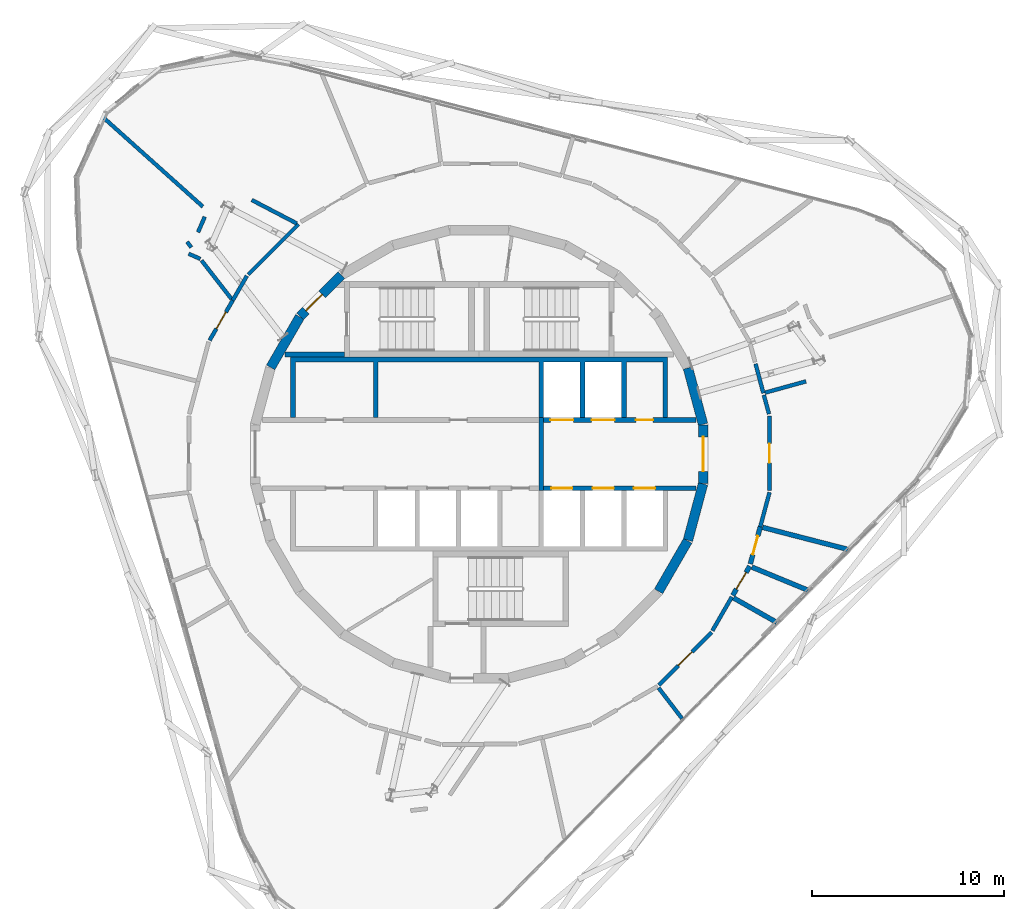
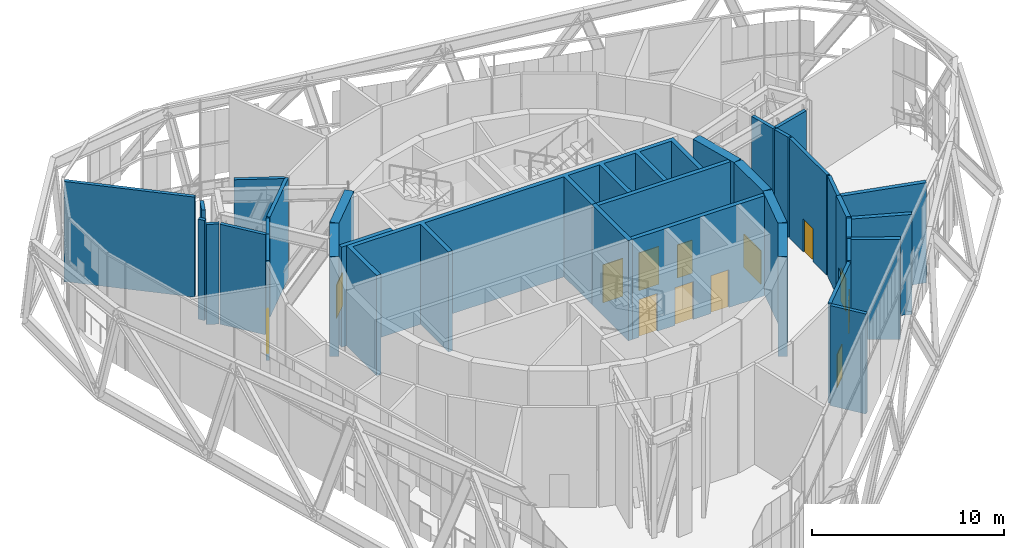
# One storey, part 19 of 23: 33 walls, 13 doors, 13 openings.
"""IFC4 building model written with IfcOpenShell, lengths in metres."""

from ifc_helpers import new_model, si_unit, direction, frame, frame_2d, origin, place, context, subcontext, project, spatial, polyline, rectangle, outline, extrude, material, layer, layer_set, type_object, element, fill, save


model = new_model("IFC4")

# Units and contexts
model_context = context("Model", 3, precision=1e-05, world=origin(), true_north=direction((0.0, 1.0)))
body_context = subcontext(model_context, "Body", "Model", "MODEL_VIEW")
ifc_project = project(units=[si_unit("LENGTHUNIT", "METRE"), si_unit("AREAUNIT", "SQUARE_METRE"), si_unit("VOLUMEUNIT", "CUBIC_METRE"), si_unit("PLANEANGLEUNIT", "RADIAN"), si_unit("MASSUNIT", "GRAM", prefix="KILO")], contexts=[model_context])

# Site, building, storey
site_placement = place(None, origin())
site = spatial("IfcSite", under=ifc_project, at=site_placement, CompositionType="ELEMENT")
building_placement = place(site_placement, origin())
building = spatial("IfcBuilding", under=site, at=building_placement, Name="Spindle Arch Residences", CompositionType="ELEMENT")
storey_placement = place(building_placement, frame((0.0, 0.0, 326.199951171875)))
storey = spatial("IfcBuildingStorey", under=building, at=storey_placement, Name="L84", CompositionType="ELEMENT", Elevation=326.199951171875)

# Walls
ifc_material_1 = material(Name="Concrete C50/60", Category="concrete")
ifc_layer_1 = layer(ifc_material_1, 0.5)
ifc_layer_set_1 = layer_set([ifc_layer_1], Name="Core outline wall 500")
wall_type_1 = type_object("IfcWallType", Name="Core outline wall 500", PredefinedType="SHEAR", material=ifc_layer_set_1)
for number, where, z_axis, x_axis, name in (
    (1, (9.32861328125, -7.13671875, 0.0), (0.0, 0.0, 1.0), (0.500087131594, 0.865975092491, 0.0), "Core outline wall 4"),
    (2, (10.858154296875, -4.479248046875, 0.0), (0.0, 0.0, 1.0), (0.258734743916, 0.965948410781, 0.0), "Core outline wall 5"),
):
    element("IfcWall", number, at=place(storey_placement, frame(where, z_axis=z_axis, x_axis=x_axis)), inside=storey, type_object=wall_type_1, Name=name, PredefinedType="SHEAR", context=body_context, shape_type="SweptSolid", body=[
        extrude(rectangle(XDim=3.03271484375, YDim=0.5, at=frame_2d((1.516357421875, 0.0))), origin(), (0.0, 0.0, 1.0), 6.35009765625),
    ])

# Wall, opening, door
wall_1_placement = place(storey_placement, frame((11.647216796875, -1.516357421875, 0.0), z_axis=(0.0, 0.0, 1.0), x_axis=(0.0, 1.0, 0.0)))
wall_1 = element("IfcWall", 3, at=wall_1_placement, inside=storey, type_object=wall_type_1, Name="Core outline wall 6", PredefinedType="SHEAR", context=body_context, shape_type="SweptSolid", body=[
    extrude(rectangle(XDim=3.03271484375, YDim=0.5, at=frame_2d((1.516357421875, 0.0))), origin(), (0.0, 0.0, 1.0), 6.35009765625),
])
opening_1_placement = place(wall_1_placement, frame((0.6162109375, 0.0, 0.0)))
opening_1 = element("IfcOpeningElement", 4, at=opening_1_placement, cuts=wall_1, Name="Opening L84-FE01", PredefinedType="OPENING", context=body_context, shape_type="SweptSolid", body=[
    extrude(rectangle(XDim=1.800048828125, YDim=2.10009765625, at=frame_2d((0.89990234375, 1.050048828125))), frame((0.0, 0.260009765625, 0.0), z_axis=(0.0, -1.0, 0.0), x_axis=(1.0, 0.0, 0.0)), (0.0, 0.0, 1.0), 0.52001953125),
])
ifc_material_2 = material(Name="Steel, fire-resisting door", Category="steel")
door_type_1 = type_object("IfcDoorType", Name="Fire-lift lobby door 1800x2100", OperationType="DOUBLE_DOOR_SINGLE_SWING", PredefinedType="DOOR", material=ifc_material_2)
door_1_placement = place(opening_1_placement, origin())
door_1 = element("IfcDoor", 5, at=door_1_placement, inside=storey, type_object=door_type_1, Name="Fire-lift lobby door L84-FE01", OperationType="DOUBLE_DOOR_SINGLE_SWING", OverallHeight=2.10009765625, OverallWidth=1.800048828125, PredefinedType="DOOR", context=body_context, shape_type="SweptSolid", body=[
    extrude(rectangle(XDim=1.800048828125, YDim=2.10009765625, at=frame_2d((0.89990234375, 1.050048828125))), frame((0.0, 0.02490234375, 0.0), z_axis=(0.0, -1.0, 0.0), x_axis=(1.0, 0.0, 0.0)), (0.0, 0.0, 1.0), 0.050048828125),
])
fill(opening_1, door_1)

# Wall
wall_2_placement = place(storey_placement, frame((11.642822265625, 1.5498046875, 0.0), z_axis=(0.0, 0.0, 1.0), x_axis=(-0.258734743916, 0.965948410781, 0.0)))
element("IfcWall", 6, at=wall_2_placement, inside=storey, type_object=wall_type_1, Name="Core outline wall 7", PredefinedType="SHEAR", context=body_context, shape_type="SweptSolid", body=[
    extrude(rectangle(XDim=3.03271484375, YDim=0.5, at=frame_2d((1.516357421875, 0.0))), origin(), (0.0, 0.0, 1.0), 6.35009765625),
])

# Wall, opening, door
wall_3_placement = place(storey_placement, frame((-7.163818359375, 9.30810546875, 0.0), z_axis=(0.0, 0.0, 1.0), x_axis=(-0.707106781187, -0.707106781187, 0.0)))
wall_3 = element("IfcWall", 7, at=wall_3_placement, inside=storey, type_object=wall_type_1, Name="Core outline wall 15", PredefinedType="SHEAR", context=body_context, shape_type="SweptSolid", body=[
    extrude(rectangle(XDim=3.032470703125, YDim=0.5, at=frame_2d((1.51611328125, 0.0))), origin(), (0.0, 0.0, 1.0), 6.35009765625),
])
opening_2_placement = place(wall_3_placement, frame((1.416259765625, 0.0, 0.0)))
opening_2 = element("IfcOpeningElement", 8, at=opening_2_placement, cuts=wall_3, Name="Opening L84-AD02", PredefinedType="OPENING", context=body_context, shape_type="SweptSolid", body=[
    extrude(rectangle(XDim=1.199951171875, YDim=2.10009765625, at=frame_2d((0.60009765625, 1.050048828125))), frame((0.0, 0.260009765625, 0.0), z_axis=(0.0, -1.0, 0.0), x_axis=(1.0, 0.0, 0.0)), (0.0, 0.0, 1.0), 0.52001953125),
])
ifc_material_3 = material(Name="Steel, fire-resisting door", Category="steel")
door_type_2 = type_object("IfcDoorType", Name="Stair airlock door 1200x2100", OperationType="SINGLE_SWING_LEFT", PredefinedType="DOOR", material=ifc_material_3)
door_2_placement = place(opening_2_placement, origin())
door_2 = element("IfcDoor", 9, at=door_2_placement, inside=storey, type_object=door_type_2, Name="Stair airlock door L84-AD02", OperationType="SINGLE_SWING_RIGHT", OverallHeight=2.10009765625, OverallWidth=1.199951171875, PredefinedType="DOOR", context=body_context, shape_type="SweptSolid", body=[
    extrude(rectangle(XDim=1.199951171875, YDim=2.10009765625, at=frame_2d((0.60009765625, 1.050048828125))), frame((0.0, 0.02490234375, 0.0), z_axis=(0.0, -1.0, 0.0), x_axis=(1.0, 0.0, 0.0)), (0.0, 0.0, 1.0), 0.050048828125),
])
fill(opening_2, door_2)

# Wall
wall_4_placement = place(storey_placement, frame((-9.32861328125, 7.13671875, 0.0), z_axis=(0.0, 0.0, 1.0), x_axis=(-0.500087131594, -0.865975092491, 0.0)))
element("IfcWall", 10, at=wall_4_placement, inside=storey, type_object=wall_type_1, Name="Core outline wall 16", PredefinedType="SHEAR", context=body_context, shape_type="SweptSolid", body=[
    extrude(rectangle(XDim=3.03271484375, YDim=0.5, at=frame_2d((1.516357421875, 0.0))), origin(), (0.0, 0.0, 1.0), 6.35009765625),
])

# Wall, openings, doors
ifc_material_4 = material(Name="Concrete C40/50", Category="concrete")
ifc_layer_2 = layer(ifc_material_4, 0.25)
ifc_layer_set_2 = layer_set([ifc_layer_2], Name="Fire-lift lobby wall 250")
wall_type_2 = type_object("IfcWallType", Name="Fire-lift lobby wall 250", PredefinedType="SHEAR", material=ifc_layer_set_2)
wall_5_placement = place(storey_placement, frame((3.35009765625, 1.77490234375, 0.0), z_axis=(0.0, 0.0, 1.0), x_axis=(1.0, 0.0, 0.0)))
wall_5 = element("IfcWall", 11, at=wall_5_placement, inside=storey, type_object=wall_type_2, Name="Lift shaft front wall NE", PredefinedType="SHEAR", context=body_context, shape_type="SweptSolid", body=[
    extrude(rectangle(XDim=7.929931640625, YDim=0.25, at=frame_2d((3.96484375, 0.0))), origin(), (0.0, 0.0, 1.0), 6.35009765625),
])
opening_3_placement = place(wall_5_placement, frame((0.35009765625, 0.0, 0.0)))
opening_3 = element("IfcOpeningElement", 12, at=opening_3_placement, cuts=wall_5, Name="Opening L84-SLD01", PredefinedType="OPENING", context=body_context, shape_type="SweptSolid", body=[
    extrude(rectangle(XDim=1.199951171875, YDim=2.39990234375, at=frame_2d((0.60009765625, 1.199951171875))), frame((0.0, 0.135009765625, 0.0), z_axis=(0.0, -1.0, 0.0), x_axis=(1.0, 0.0, 0.0)), (0.0, 0.0, 1.0), 0.27001953125),
])
opening_4_placement = place(wall_5_placement, frame((2.5, 0.0, 0.0)))
opening_4 = element("IfcOpeningElement", 13, at=opening_4_placement, cuts=wall_5, Name="Opening L84-SLD02", PredefinedType="OPENING", context=body_context, shape_type="SweptSolid", body=[
    extrude(rectangle(XDim=1.199951171875, YDim=2.39990234375, at=frame_2d((0.60009765625, 1.199951171875))), frame((0.0, 0.135009765625, 0.0), z_axis=(0.0, -1.0, 0.0), x_axis=(1.0, 0.0, 0.0)), (0.0, 0.0, 1.0), 0.27001953125),
])
opening_5_placement = place(wall_5_placement, frame((4.800048828125, 0.0, 0.0)))
opening_5 = element("IfcOpeningElement", 14, at=opening_5_placement, cuts=wall_5, Name="Opening L84-WD03", PredefinedType="OPENING", context=body_context, shape_type="SweptSolid", body=[
    extrude(rectangle(XDim=0.89990234375, YDim=2.10009765625, at=frame_2d((0.449951171875, 1.050048828125))), frame((0.0, 0.135009765625, 0.0), z_axis=(0.0, -1.0, 0.0), x_axis=(1.0, 0.0, 0.0)), (0.0, 0.0, 1.0), 0.27001953125),
])
ifc_material_5 = material(Name="Steel, fire-resisting landing door", Category="steel")
door_type_3 = type_object("IfcDoorType", Name="Service lift landing door 1200x2400", OperationType="DOUBLE_DOOR_SLIDING", PredefinedType="DOOR", material=ifc_material_5)
door_3_placement = place(opening_3_placement, origin())
door_3 = element("IfcDoor", 15, at=door_3_placement, inside=storey, type_object=door_type_3, Name="Service lift landing door L84-SLD01", OperationType="DOUBLE_DOOR_SLIDING", OverallHeight=2.39990234375, OverallWidth=1.199951171875, PredefinedType="DOOR", context=body_context, shape_type="SweptSolid", body=[
    extrude(rectangle(XDim=1.199951171875, YDim=2.39990234375, at=frame_2d((0.60009765625, 1.199951171875))), frame((0.0, 0.02490234375, 0.0), z_axis=(0.0, -1.0, 0.0), x_axis=(1.0, 0.0, 0.0)), (0.0, 0.0, 1.0), 0.050048828125),
])
fill(opening_3, door_3)
door_4_placement = place(opening_4_placement, origin())
door_4 = element("IfcDoor", 16, at=door_4_placement, inside=storey, type_object=door_type_3, Name="Service lift landing door L84-SLD02", OperationType="DOUBLE_DOOR_SLIDING", OverallHeight=2.39990234375, OverallWidth=1.199951171875, PredefinedType="DOOR", context=body_context, shape_type="SweptSolid", body=[
    extrude(rectangle(XDim=1.199951171875, YDim=2.39990234375, at=frame_2d((0.60009765625, 1.199951171875))), frame((0.0, 0.02490234375, 0.0), z_axis=(0.0, -1.0, 0.0), x_axis=(1.0, 0.0, 0.0)), (0.0, 0.0, 1.0), 0.050048828125),
])
fill(opening_4, door_4)
ifc_material_6 = material(Name="Steel, fire-resisting door", Category="steel")
door_type_4 = type_object("IfcDoorType", Name="Service room door 900x2100", OperationType="SINGLE_SWING_LEFT", PredefinedType="DOOR", material=ifc_material_6)
door_5_placement = place(opening_5_placement, origin())
door_5 = element("IfcDoor", 17, at=door_5_placement, inside=storey, type_object=door_type_4, Name="Service room door L84-WD03", OperationType="SINGLE_SWING_LEFT", OverallHeight=2.10009765625, OverallWidth=0.89990234375, PredefinedType="DOOR", context=body_context, shape_type="SweptSolid", body=[
    extrude(rectangle(XDim=0.89990234375, YDim=2.10009765625, at=frame_2d((0.449951171875, 1.050048828125))), frame((0.0, 0.02490234375, 0.0), z_axis=(0.0, -1.0, 0.0), x_axis=(1.0, 0.0, 0.0)), (0.0, 0.0, 1.0), 0.050048828125),
])
fill(opening_5, door_5)

# Wall
wall_6_placement = place(storey_placement, frame((3.22509765625, -1.89990234375, 0.0), z_axis=(0.0, 0.0, 1.0), x_axis=(0.0, 1.0, 0.0)))
element("IfcWall", 18, at=wall_6_placement, inside=storey, type_object=wall_type_2, Name="Fire-fighting lobby partition", PredefinedType="SHEAR", context=body_context, shape_type="SweptSolid", body=[
    extrude(rectangle(XDim=3.7998046875, YDim=0.25, at=frame_2d((1.89990234375, 0.0))), origin(), (0.0, 0.0, 1.0), 6.35009765625),
])

# Wall, openings, doors
ifc_material_7 = material(Name="Concrete C50/60", Category="concrete")
ifc_layer_3 = layer(ifc_material_7, 0.25)
ifc_layer_set_3 = layer_set([ifc_layer_3], Name="Fire-lift shaft wall 250")
wall_type_3 = type_object("IfcWallType", Name="Fire-lift shaft wall 250", PredefinedType="SHEAR", material=ifc_layer_set_3)
wall_7_placement = place(storey_placement, frame((3.35009765625, -1.77490234375, 0.0), z_axis=(0.0, 0.0, 1.0), x_axis=(1.0, 0.0, 0.0)))
wall_7 = element("IfcWall", 19, at=wall_7_placement, inside=storey, type_object=wall_type_3, Name="Lift shaft front wall SE", PredefinedType="SHEAR", context=body_context, shape_type="SweptSolid", body=[
    extrude(rectangle(XDim=7.929931640625, YDim=0.25, at=frame_2d((3.96484375, 0.0))), origin(), (0.0, 0.0, 1.0), 6.35009765625),
])
opening_6_placement = place(wall_7_placement, frame((0.39990234375, 0.0, 0.0)))
opening_6 = element("IfcOpeningElement", 20, at=opening_6_placement, cuts=wall_7, Name="Opening L84-FLD01", PredefinedType="OPENING", context=body_context, shape_type="SweptSolid", body=[
    extrude(rectangle(XDim=1.10009765625, YDim=2.39990234375, at=frame_2d((0.550048828125, 1.199951171875))), frame((0.0, 0.135009765625, 0.0), z_axis=(0.0, -1.0, 0.0), x_axis=(1.0, 0.0, 0.0)), (0.0, 0.0, 1.0), 0.27001953125),
])
opening_7_placement = place(wall_7_placement, frame((2.550048828125, 0.0, 0.0)))
opening_7 = element("IfcOpeningElement", 21, at=opening_7_placement, cuts=wall_7, Name="Opening L84-FLD02", PredefinedType="OPENING", context=body_context, shape_type="SweptSolid", body=[
    extrude(rectangle(XDim=1.10009765625, YDim=2.39990234375, at=frame_2d((0.550048828125, 1.199951171875))), frame((0.0, 0.135009765625, 0.0), z_axis=(0.0, -1.0, 0.0), x_axis=(1.0, 0.0, 0.0)), (0.0, 0.0, 1.0), 0.27001953125),
])
opening_8_placement = place(wall_7_placement, frame((4.699951171875, 0.0, 0.0)))
opening_8 = element("IfcOpeningElement", 22, at=opening_8_placement, cuts=wall_7, Name="Opening L84-FLD03", PredefinedType="OPENING", context=body_context, shape_type="SweptSolid", body=[
    extrude(rectangle(XDim=1.10009765625, YDim=2.39990234375, at=frame_2d((0.550048828125, 1.199951171875))), frame((0.0, 0.135009765625, 0.0), z_axis=(0.0, -1.0, 0.0), x_axis=(1.0, 0.0, 0.0)), (0.0, 0.0, 1.0), 0.27001953125),
])
ifc_material_8 = material(Name="Steel, fire-resisting landing door", Category="steel")
door_type_5 = type_object("IfcDoorType", Name="Fire-fighting lift landing door 1100x2400", OperationType="DOUBLE_DOOR_SLIDING", PredefinedType="DOOR", material=ifc_material_8)
door_6_placement = place(opening_6_placement, origin())
door_6 = element("IfcDoor", 23, at=door_6_placement, inside=storey, type_object=door_type_5, Name="Fire-fighting lift landing door L84-FLD01", OperationType="DOUBLE_DOOR_SLIDING", OverallHeight=2.39990234375, OverallWidth=1.10009765625, PredefinedType="DOOR", context=body_context, shape_type="SweptSolid", body=[
    extrude(rectangle(XDim=1.10009765625, YDim=2.39990234375, at=frame_2d((0.550048828125, 1.199951171875))), frame((0.0, 0.02490234375, 0.0), z_axis=(0.0, -1.0, 0.0), x_axis=(1.0, 0.0, 0.0)), (0.0, 0.0, 1.0), 0.050048828125),
])
fill(opening_6, door_6)
door_7_placement = place(opening_7_placement, origin())
door_7 = element("IfcDoor", 24, at=door_7_placement, inside=storey, type_object=door_type_5, Name="Fire-fighting lift landing door L84-FLD02", OperationType="DOUBLE_DOOR_SLIDING", OverallHeight=2.39990234375, OverallWidth=1.10009765625, PredefinedType="DOOR", context=body_context, shape_type="SweptSolid", body=[
    extrude(rectangle(XDim=1.10009765625, YDim=2.39990234375, at=frame_2d((0.550048828125, 1.199951171875))), frame((0.0, 0.02490234375, 0.0), z_axis=(0.0, -1.0, 0.0), x_axis=(1.0, 0.0, 0.0)), (0.0, 0.0, 1.0), 0.050048828125),
])
fill(opening_7, door_7)
door_8_placement = place(opening_8_placement, origin())
door_8 = element("IfcDoor", 25, at=door_8_placement, inside=storey, type_object=door_type_5, Name="Fire-fighting lift landing door L84-FLD03", OperationType="DOUBLE_DOOR_SLIDING", OverallHeight=2.39990234375, OverallWidth=1.10009765625, PredefinedType="DOOR", context=body_context, shape_type="SweptSolid", body=[
    extrude(rectangle(XDim=1.10009765625, YDim=2.39990234375, at=frame_2d((0.550048828125, 1.199951171875))), frame((0.0, 0.02490234375, 0.0), z_axis=(0.0, -1.0, 0.0), x_axis=(1.0, 0.0, 0.0)), (0.0, 0.0, 1.0), 0.050048828125),
])
fill(opening_8, door_8)

# Wall
ifc_material_9 = material(Name="Concrete C50/60", Category="concrete")
wall_type_4 = type_object("IfcWallType", Name="Lift shaft wall profile", PredefinedType="SHEAR", material=ifc_material_9)
wall_8_placement = place(storey_placement, origin())
element("IfcWall", 26, at=wall_8_placement, inside=storey, type_object=wall_type_4, Name="Lift shaft walls N", PredefinedType="SHEAR", context=body_context, shape_type="SweptSolid", body=[
    extrude(outline(polyline([(-9.800048828125, 1.89990234375), (-9.550048828125, 1.89990234375), (-9.550048828125, 4.800048828125), (-5.5, 4.800048828125), (-5.5, 1.89990234375), (-5.25, 1.89990234375), (-5.25, 4.800048828125), (3.10009765625, 4.800048828125), (3.10009765625, 1.89990234375), (3.35009765625, 1.89990234375), (3.35009765625, 4.800048828125), (5.25, 4.800048828125), (5.25, 1.89990234375), (5.5, 1.89990234375), (5.5, 4.800048828125), (7.39990234375, 4.800048828125), (7.39990234375, 1.89990234375), (7.64990234375, 1.89990234375), (7.64990234375, 4.800048828125), (9.550048828125, 4.800048828125), (9.550048828125, 1.89990234375), (9.800048828125, 1.89990234375), (9.800048828125, 4.800048828125), (9.800048828125, 5.050048828125), (-9.800048828125, 5.050048828125), (-9.800048828125, 4.800048828125), (-9.800048828125, 1.89990234375)])), origin(), (0.0, 0.0, 1.0), 6.35009765625),
])

# Wall, opening, door
ifc_material_10 = material(Name="Concrete C25/30 wall", Category="concrete")
ifc_layer_4 = layer(ifc_material_10, 0.25)
ifc_layer_set_4 = layer_set([ifc_layer_4], Name="Partition EI 120 250 store")
wall_type_5 = type_object("IfcWallType", Name="Partition EI 120 250 store", PredefinedType="PARTITIONING", material=ifc_layer_set_4)
wall_9_placement = place(storey_placement, frame((13.190185546875, -7.343505859375, 0.0), z_axis=(0.0, 0.0, 1.0), x_axis=(0.502613185604, 0.864511414417, 0.0)))
wall_9 = element("IfcWall", 27, at=wall_9_placement, inside=storey, type_object=wall_type_5, Name="L84-W052", PredefinedType="PARTITIONING", context=body_context, shape_type="SweptSolid", body=[
    extrude(rectangle(XDim=1.750732421875, YDim=0.25, at=frame_2d((0.87548828125, 0.0))), origin(), (0.0, 0.0, 1.0), 6.35009765625),
])
opening_9_placement = place(wall_9_placement, frame((0.375244140625, 0.0, 0.0)))
opening_9 = element("IfcOpeningElement", 28, at=opening_9_placement, cuts=wall_9, Name="Opening L84-D05", PredefinedType="OPENING", context=body_context, shape_type="SweptSolid", body=[
    extrude(rectangle(XDim=1.0, YDim=2.10009765625, at=frame_2d((0.5, 1.050048828125))), frame((0.0, 0.135009765625, 0.0), z_axis=(0.0, -1.0, 0.0), x_axis=(1.0, 0.0, 0.0)), (0.0, 0.0, 1.0), 0.27001953125),
])
ifc_material_11 = material(Name="Steel door leaf, painted", Category="steel")
door_type_6 = type_object("IfcDoorType", Name="Door 1000x2100 EI 60", OperationType="SINGLE_SWING_LEFT", PredefinedType="DOOR", material=ifc_material_11)
door_9_placement = place(opening_9_placement, origin())
door_9 = element("IfcDoor", 29, at=door_9_placement, inside=storey, type_object=door_type_6, Name="L84-D05", OperationType="SINGLE_SWING_LEFT", OverallHeight=2.10009765625, OverallWidth=1.0, PredefinedType="DOOR", context=body_context, shape_type="SweptSolid", body=[
    extrude(rectangle(XDim=1.0, YDim=2.10009765625, at=frame_2d((0.5, 1.050048828125))), frame((0.0, 0.02490234375, 0.0), z_axis=(0.0, -1.0, 0.0), x_axis=(1.0, 0.0, 0.0)), (0.0, 0.0, 1.0), 0.050048828125),
])
fill(opening_9, door_9)

# Wall
wall_10_placement = place(storey_placement, frame((13.22705078125, -7.479248046875, 0.0), z_axis=(0.0, 0.0, 1.0), x_axis=(0.870061451314, -0.492943273549, 0.0)))
element("IfcWall", 30, at=wall_10_placement, inside=storey, type_object=wall_type_5, Name="L84-W053", PredefinedType="PARTITIONING", context=body_context, shape_type="SweptSolid", body=[
    extrude(rectangle(XDim=2.577880859375, YDim=0.25, at=frame_2d((1.2890625, 0.0))), origin(), (0.0, 0.0, 1.0), 6.35009765625),
])

# Wall, opening, door
wall_11_placement = place(storey_placement, frame((14.102294921875, -5.709228515625, 0.0), z_axis=(0.0, 0.0, 1.0), x_axis=(0.259237019566, 0.965813733432, 0.0)))
wall_11 = element("IfcWall", 31, at=wall_11_placement, inside=storey, type_object=wall_type_5, Name="L84-W055", PredefinedType="PARTITIONING", context=body_context, shape_type="SweptSolid", body=[
    extrude(rectangle(XDim=1.99755859375, YDim=0.25, at=frame_2d((0.998779296875, 0.0))), origin(), (0.0, 0.0, 1.0), 6.35009765625),
])
opening_10_placement = place(wall_11_placement, frame((0.498779296875, 0.0, 0.0)))
opening_10 = element("IfcOpeningElement", 32, at=opening_10_placement, cuts=wall_11, Name="Opening L84-D06", PredefinedType="OPENING", context=body_context, shape_type="SweptSolid", body=[
    extrude(rectangle(XDim=1.0, YDim=2.10009765625, at=frame_2d((0.5, 1.050048828125))), frame((0.0, 0.135009765625, 0.0), z_axis=(0.0, -1.0, 0.0), x_axis=(1.0, 0.0, 0.0)), (0.0, 0.0, 1.0), 0.27001953125),
])
door_10_placement = place(opening_10_placement, origin())
door_10 = element("IfcDoor", 33, at=door_10_placement, inside=storey, type_object=door_type_6, Name="L84-D06", OperationType="SINGLE_SWING_LEFT", OverallHeight=2.10009765625, OverallWidth=1.0, PredefinedType="DOOR", context=body_context, shape_type="SweptSolid", body=[
    extrude(rectangle(XDim=1.0, YDim=2.10009765625, at=frame_2d((0.5, 1.050048828125))), frame((0.0, 0.02490234375, 0.0), z_axis=(0.0, -1.0, 0.0), x_axis=(1.0, 0.0, 0.0)), (0.0, 0.0, 1.0), 0.050048828125),
])
fill(opening_10, door_10)

# Walls
wall_12_placement = place(storey_placement, frame((14.185546875, -5.877685546875, 0.0), z_axis=(0.0, 0.0, 1.0), x_axis=(0.924422904384, -0.38136897337, 0.0)))
element("IfcWall", 34, at=wall_12_placement, inside=storey, type_object=wall_type_5, Name="L84-W056", PredefinedType="PARTITIONING", context=body_context, shape_type="SweptSolid", body=[
    extrude(rectangle(XDim=3.15283203125, YDim=0.25, at=frame_2d((1.576416015625, 0.0))), origin(), (0.0, 0.0, 1.0), 6.35009765625),
])
wall_13_placement = place(storey_placement, frame((14.740966796875, -3.811279296875, 0.0), z_axis=(0.0, 0.0, 1.0), x_axis=(0.968247873371, -0.2499921113, 0.0)))
element("IfcWall", 35, at=wall_13_placement, inside=storey, type_object=wall_type_5, Name="L84-W060", PredefinedType="PARTITIONING", context=body_context, shape_type="SweptSolid", body=[
    extrude(rectangle(XDim=4.594970703125, YDim=0.25, at=frame_2d((2.29736328125, 0.0))), origin(), (0.0, 0.0, 1.0), 6.35009765625),
])
ifc_material_12 = material(Name="Gypsum board partition on steel studs", Category="steel")
ifc_layer_5 = layer(ifc_material_12, 0.199951171875)
ifc_layer_set_5 = layer_set([ifc_layer_5], Name="Partition EI 60 200 amenity")
wall_type_6 = type_object("IfcWallType", Name="Partition EI 60 200 amenity", PredefinedType="PARTITIONING", material=ifc_layer_set_5)
wall_14_placement = place(storey_placement, frame((-15.18994140625, 11.0400390625, 0.0), z_axis=(0.0, 0.0, 1.0), x_axis=(0.604283722932, -0.796769215143, 0.0)))
element("IfcWall", 36, at=wall_14_placement, inside=storey, type_object=wall_type_6, Name="L84-W002", PredefinedType="PARTITIONING", context=body_context, shape_type="SweptSolid", body=[
    extrude(rectangle(XDim=0.364013671875, YDim=0.199951171875, at=frame_2d((0.18212890625, 0.0))), origin(), (0.0, 0.0, 1.0), 6.35009765625),
])
wall_15_placement = place(storey_placement, frame((-15.110107421875, 10.419921875, 0.0), z_axis=(0.0, 0.0, 1.0), x_axis=(0.914444201394, -0.404711999497, 0.0)))
element("IfcWall", 37, at=wall_15_placement, inside=storey, type_object=wall_type_6, Name="L84-W003", PredefinedType="PARTITIONING", context=body_context, shape_type="SweptSolid", body=[
    extrude(rectangle(XDim=0.667236328125, YDim=0.199951171875, at=frame_2d((0.33349609375, 0.0))), origin(), (0.0, 0.0, 1.0), 6.35009765625),
])
wall_16_placement = place(storey_placement, frame((-14.438720703125, 10.071044921875, 0.0), z_axis=(0.0, 0.0, 1.0), x_axis=(0.613967266513, -0.789331486545, 0.0)))
element("IfcWall", 38, at=wall_16_placement, inside=storey, type_object=wall_type_6, Name="L84-W009", PredefinedType="PARTITIONING", context=body_context, shape_type="SweptSolid", body=[
    extrude(rectangle(XDim=2.53662109375, YDim=0.199951171875, at=frame_2d((1.268310546875, 0.0))), origin(), (0.0, 0.0, 1.0), 6.35009765625),
])
wall_17_placement = place(storey_placement, frame((-14.3720703125, 12.87109375, 0.0), z_axis=(0.0, 0.0, 1.0), x_axis=(-0.744887799674, 0.667189752542, 0.0)))
element("IfcWall", 39, at=wall_17_placement, inside=storey, type_object=wall_type_6, Name="L84-W010", PredefinedType="PARTITIONING", context=body_context, shape_type="SweptSolid", body=[
    extrude(rectangle(XDim=6.93798828125, YDim=0.199951171875, at=frame_2d((3.468994140625, 0.0))), origin(), (0.0, 0.0, 1.0), 6.35009765625),
])
wall_18_placement = place(storey_placement, frame((-14.271728515625, 12.343994140625, 0.0), z_axis=(0.0, 0.0, 1.0), x_axis=(-0.39832800457, -0.91724304346, 0.0)))
element("IfcWall", 40, at=wall_18_placement, inside=storey, type_object=wall_type_6, Name="L84-W011", PredefinedType="PARTITIONING", context=body_context, shape_type="SweptSolid", body=[
    extrude(rectangle(XDim=0.87451171875, YDim=0.199951171875, at=frame_2d((0.437255859375, 0.0))), origin(), (0.0, 0.0, 1.0), 6.35009765625),
])

# Wall, opening, door
wall_19_placement = place(storey_placement, frame((-12.820068359375, 7.989990234375, 0.0), z_axis=(0.0, 0.0, 1.0), x_axis=(-0.50088361041, -0.865514649687, 0.0)))
wall_19 = element("IfcWall", 41, at=wall_19_placement, inside=storey, type_object=wall_type_6, Name="L84-W016", PredefinedType="PARTITIONING", context=body_context, shape_type="SweptSolid", body=[
    extrude(rectangle(XDim=2.395751953125, YDim=0.199951171875, at=frame_2d((1.19775390625, 0.0))), origin(), (0.0, 0.0, 1.0), 6.35009765625),
])
opening_11_placement = place(wall_19_placement, frame((0.69775390625, 0.0, 0.0)))
opening_11 = element("IfcOpeningElement", 42, at=opening_11_placement, cuts=wall_19, Name="Opening L84-D11", PredefinedType="OPENING", context=body_context, shape_type="SweptSolid", body=[
    extrude(rectangle(XDim=1.0, YDim=2.10009765625, at=frame_2d((0.5, 1.050048828125))), frame((0.0, 0.10986328125, 0.0), z_axis=(0.0, -1.0, 0.0), x_axis=(1.0, 0.0, 0.0)), (0.0, 0.0, 1.0), 0.219970703125),
])
ifc_material_13 = material(Name="Timber door leaf", Category="wood")
door_type_7 = type_object("IfcDoorType", Name="Door 1000x2100 EI 30", OperationType="SINGLE_SWING_LEFT", PredefinedType="DOOR", material=ifc_material_13)
door_11_placement = place(opening_11_placement, origin())
door_11 = element("IfcDoor", 43, at=door_11_placement, inside=storey, type_object=door_type_7, Name="L84-D11", OperationType="SINGLE_SWING_LEFT", OverallHeight=2.10009765625, OverallWidth=1.0, PredefinedType="DOOR", context=body_context, shape_type="SweptSolid", body=[
    extrude(rectangle(XDim=1.0, YDim=2.10009765625, at=frame_2d((0.5, 1.050048828125))), frame((0.0, 0.02490234375, 0.0), z_axis=(0.0, -1.0, 0.0), x_axis=(1.0, 0.0, 0.0)), (0.0, 0.0, 1.0), 0.050048828125),
])
fill(opening_11, door_11)

# Walls
wall_20_placement = place(storey_placement, frame((-12.080078125, 9.27001953125, 0.0), z_axis=(0.0, 0.0, 1.0), x_axis=(-0.500489412975, -0.865742656625, 0.0)))
element("IfcWall", 44, at=wall_20_placement, inside=storey, type_object=wall_type_6, Name="L84-W017", PredefinedType="PARTITIONING", context=body_context, shape_type="SweptSolid", body=[
    extrude(rectangle(XDim=1.478515625, YDim=0.199951171875, at=frame_2d((0.7392578125, 0.0))), origin(), (0.0, 0.0, 1.0), 6.35009765625),
])
wall_21_placement = place(storey_placement, frame((-12.00927734375, 9.3408203125, 0.0), z_axis=(0.0, 0.0, 1.0), x_axis=(0.707139861432, 0.707073699394, 0.0)))
element("IfcWall", 45, at=wall_21_placement, inside=storey, type_object=wall_type_6, Name="L84-W018", PredefinedType="PARTITIONING", context=body_context, shape_type="SweptSolid", body=[
    extrude(rectangle(XDim=3.68994140625, YDim=0.199951171875, at=frame_2d((1.844970703125, 0.0))), origin(), (0.0, 0.0, 1.0), 6.35009765625),
])
wall_22_placement = place(storey_placement, frame((-9.48876953125, 11.996337890625, 0.0), z_axis=(0.0, 0.0, 1.0), x_axis=(-0.886536984928, 0.462657729163, 0.0)))
element("IfcWall", 46, at=wall_22_placement, inside=storey, type_object=wall_type_6, Name="L84-W021", PredefinedType="PARTITIONING", context=body_context, shape_type="SweptSolid", body=[
    extrude(rectangle(XDim=2.637939453125, YDim=0.199951171875, at=frame_2d((1.31884765625, 0.0))), origin(), (0.0, 0.0, 1.0), 6.35009765625),
])
wall_23_placement = place(storey_placement, frame((9.330810546875, -12.159423828125, 0.0), z_axis=(0.0, 0.0, 1.0), x_axis=(0.608367605518, -0.793655376442, 0.0)))
element("IfcWall", 47, at=wall_23_placement, inside=storey, type_object=wall_type_6, Name="L84-W044", PredefinedType="PARTITIONING", context=body_context, shape_type="SweptSolid", body=[
    extrude(rectangle(XDim=2.004150390625, YDim=0.199951171875, at=frame_2d((1.001953125, 0.0))), origin(), (0.0, 0.0, 1.0), 6.35009765625),
])

# Wall, opening, door
wall_24_placement = place(storey_placement, frame((9.3408203125, -12.00927734375, 0.0), z_axis=(0.0, 0.0, 1.0), x_axis=(0.707106781187, 0.707106781187, 0.0)))
wall_24 = element("IfcWall", 48, at=wall_24_placement, inside=storey, type_object=wall_type_6, Name="L84-W045", PredefinedType="PARTITIONING", context=body_context, shape_type="SweptSolid", body=[
    extrude(rectangle(XDim=3.873779296875, YDim=0.199951171875, at=frame_2d((1.93701171875, 0.0))), origin(), (0.0, 0.0, 1.0), 6.35009765625),
])
opening_12_placement = place(wall_24_placement, frame((1.43701171875, 0.0, 0.0)))
opening_12 = element("IfcOpeningElement", 49, at=opening_12_placement, cuts=wall_24, Name="Opening L84-D04", PredefinedType="OPENING", context=body_context, shape_type="SweptSolid", body=[
    extrude(rectangle(XDim=1.0, YDim=2.10009765625, at=frame_2d((0.5, 1.050048828125))), frame((0.0, 0.10986328125, 0.0), z_axis=(0.0, -1.0, 0.0), x_axis=(1.0, 0.0, 0.0)), (0.0, 0.0, 1.0), 0.219970703125),
])
door_12_placement = place(opening_12_placement, origin())
door_12 = element("IfcDoor", 50, at=door_12_placement, inside=storey, type_object=door_type_7, Name="L84-D04", OperationType="SINGLE_SWING_LEFT", OverallHeight=2.10009765625, OverallWidth=1.0, PredefinedType="DOOR", context=body_context, shape_type="SweptSolid", body=[
    extrude(rectangle(XDim=1.0, YDim=2.10009765625, at=frame_2d((0.5, 1.050048828125))), frame((0.0, 0.02490234375, 0.0), z_axis=(0.0, -1.0, 0.0), x_axis=(1.0, 0.0, 0.0)), (0.0, 0.0, 1.0), 0.050048828125),
])
fill(opening_12, door_12)

# Walls
wall_25_placement = place(storey_placement, frame((12.1298828125, -9.183349609375, 0.0), z_axis=(0.0, 0.0, 1.0), x_axis=(0.499137424967, 0.866522839282, 0.0)))
element("IfcWall", 51, at=wall_25_placement, inside=storey, type_object=wall_type_6, Name="L84-W049", PredefinedType="PARTITIONING", context=body_context, shape_type="SweptSolid", body=[
    extrude(rectangle(XDim=2.0234375, YDim=0.199951171875, at=frame_2d((1.01171875, 0.0))), origin(), (0.0, 0.0, 1.0), 6.35009765625),
])
wall_26_placement = place(storey_placement, frame((14.6201171875, -3.780029296875, 0.0), z_axis=(0.0, 0.0, 1.0), x_axis=(0.258990687808, 0.965879818419, 0.0)))
element("IfcWall", 52, at=wall_26_placement, inside=storey, type_object=wall_type_6, Name="L84-W059", PredefinedType="PARTITIONING", context=body_context, shape_type="SweptSolid", body=[
    extrude(rectangle(XDim=1.853271484375, YDim=0.199951171875, at=frame_2d((0.9267578125, 0.0))), origin(), (0.0, 0.0, 1.0), 6.35009765625),
])
wall_27_placement = place(storey_placement, frame((14.780029296875, 3.169921875, 0.0), z_axis=(0.0, 0.0, 1.0), x_axis=(-0.256505576208, 0.966542750929, 0.0)))
element("IfcWall", 53, at=wall_27_placement, inside=storey, type_object=wall_type_6, Name="L84-W061", PredefinedType="PARTITIONING", context=body_context, shape_type="SweptSolid", body=[
    extrude(rectangle(XDim=1.576171875, YDim=0.199951171875, at=frame_2d((0.7880859375, 0.0))), origin(), (0.0, 0.0, 1.0), 6.35009765625),
])
wall_28_placement = place(storey_placement, frame((14.87646484375, 3.19677734375, 0.0), z_axis=(0.0, 0.0, 1.0), x_axis=(0.963797167298, 0.266636494706, 0.0)))
element("IfcWall", 54, at=wall_28_placement, inside=storey, type_object=wall_type_6, Name="L84-W062", PredefinedType="PARTITIONING", context=body_context, shape_type="SweptSolid", body=[
    extrude(rectangle(XDim=2.2001953125, YDim=0.199951171875, at=frame_2d((1.10009765625, 0.0))), origin(), (0.0, 0.0, 1.0), 6.35009765625),
])

# Wall, opening, door
wall_29_placement = place(storey_placement, frame((15.10009765625, -1.889892578125, 0.0), z_axis=(0.0, 0.0, 1.0), x_axis=(0.0, 1.0, 0.0)))
wall_29 = element("IfcWall", 55, at=wall_29_placement, inside=storey, type_object=wall_type_6, Name="L84-W063", PredefinedType="PARTITIONING", context=body_context, shape_type="SweptSolid", body=[
    extrude(rectangle(XDim=3.8798828125, YDim=0.199951171875, at=frame_2d((1.93994140625, 0.0))), origin(), (0.0, 0.0, 1.0), 6.35009765625),
])
opening_13_placement = place(wall_29_placement, frame((1.43994140625, 0.0, 0.0)))
opening_13 = element("IfcOpeningElement", 56, at=opening_13_placement, cuts=wall_29, Name="Opening L84-D09", PredefinedType="OPENING", context=body_context, shape_type="SweptSolid", body=[
    extrude(rectangle(XDim=1.0, YDim=2.10009765625, at=frame_2d((0.5, 1.050048828125))), frame((0.0, 0.10986328125, 0.0), z_axis=(0.0, -1.0, 0.0), x_axis=(1.0, 0.0, 0.0)), (0.0, 0.0, 1.0), 0.219970703125),
])
door_13_placement = place(opening_13_placement, origin())
door_13 = element("IfcDoor", 57, at=door_13_placement, inside=storey, type_object=door_type_7, Name="L84-D09", OperationType="SINGLE_SWING_LEFT", OverallHeight=2.10009765625, OverallWidth=1.0, PredefinedType="DOOR", context=body_context, shape_type="SweptSolid", body=[
    extrude(rectangle(XDim=1.0, YDim=2.10009765625, at=frame_2d((0.5, 1.050048828125))), frame((0.0, 0.02490234375, 0.0), z_axis=(0.0, -1.0, 0.0), x_axis=(1.0, 0.0, 0.0)), (0.0, 0.0, 1.0), 0.050048828125),
])
fill(opening_13, door_13)

# Walls
wall_30_placement = place(storey_placement, frame((15.07373046875, 2.08642578125, 0.0), z_axis=(0.0, 0.0, 1.0), x_axis=(-0.261642512982, 0.965164854002, 0.0)))
element("IfcWall", 58, at=wall_30_placement, inside=storey, type_object=wall_type_6, Name="L84-W064", PredefinedType="PARTITIONING", context=body_context, shape_type="SweptSolid", body=[
    extrude(rectangle(XDim=1.022705078125, YDim=0.199951171875, at=frame_2d((0.51123046875, 0.0))), origin(), (0.0, 0.0, 1.0), 6.35009765625),
])
ifc_material_14 = material(Name="Concrete C40/50", Category="concrete")
ifc_layer_6 = layer(ifc_material_14, 0.25)
ifc_layer_set_6 = layer_set([ifc_layer_6], Name="Stair airlock wall 250")
wall_type_7 = type_object("IfcWallType", Name="Stair airlock wall 250", PredefinedType="SHEAR", material=ifc_layer_set_6)
wall_31_placement = place(storey_placement, frame((-7.0, 5.175048828125, 0.0), z_axis=(0.0, 0.0, 1.0), x_axis=(-1.0, 0.0, 0.0)))
element("IfcWall", 59, at=wall_31_placement, inside=storey, type_object=wall_type_7, Name="Stair ST-2 airlock wall S", PredefinedType="SHEAR", context=body_context, shape_type="SweptSolid", body=[
    extrude(rectangle(XDim=3.10009765625, YDim=0.25, at=frame_2d((1.550048828125, 0.0))), origin(), (0.0, 0.0, 1.0), 6.35009765625),
])

save(model, "model.ifc")
